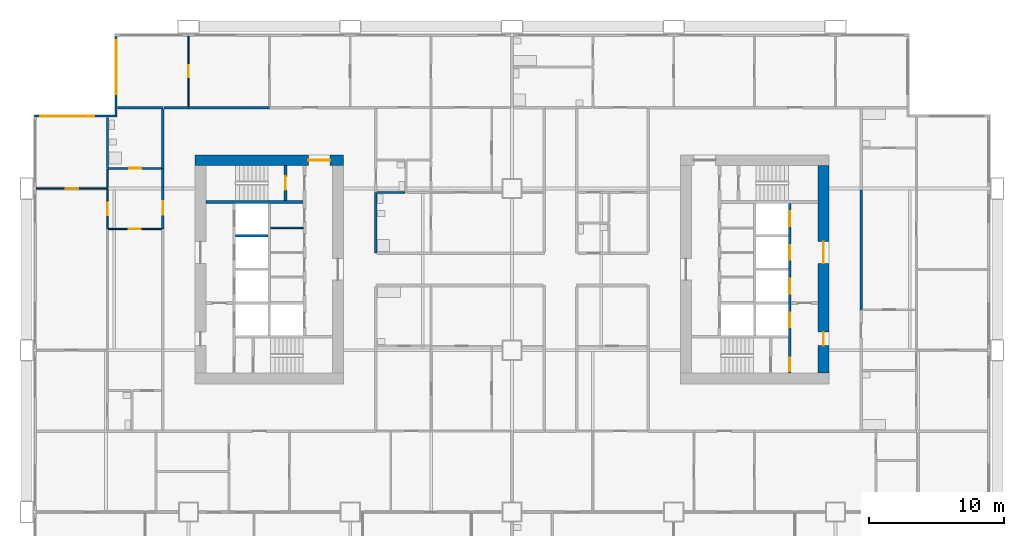
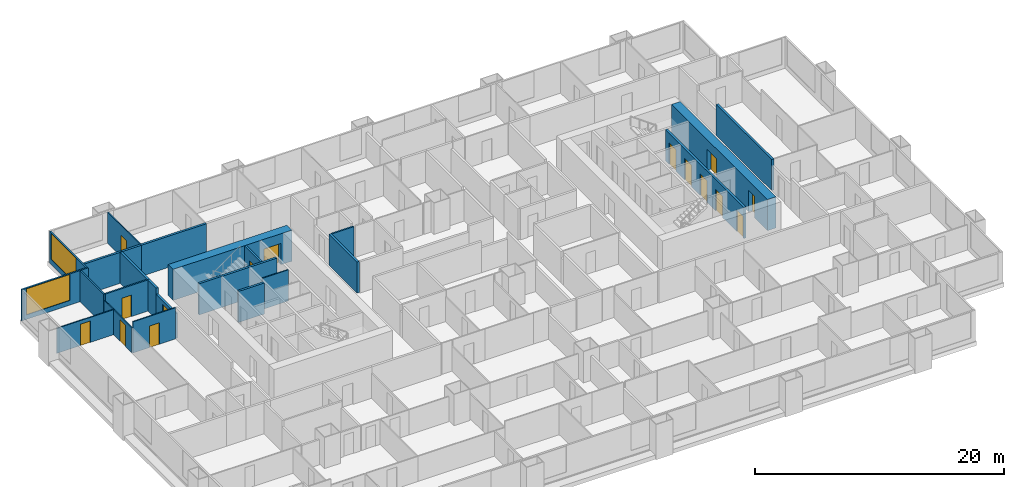
# One storey, part 7 of 13: 25 walls, 15 doors, 2 windows, 17 openings.
"""IFC4 building model written with IfcOpenShell, lengths in metres."""

from ifc_helpers import new_model, si_unit, direction, frame, frame_2d, origin, place, context, subcontext, project, spatial, rectangle, extrude, material, layer, layer_set, type_object, element, fill, save


model = new_model("IFC4")

# Units and contexts
model_context = context("Model", 3, precision=1e-05, world=origin(), true_north=direction((0.0, 1.0)))
body_context = subcontext(model_context, "Body", "Model", "MODEL_VIEW")
ifc_project = project(units=[si_unit("LENGTHUNIT", "METRE"), si_unit("AREAUNIT", "SQUARE_METRE"), si_unit("VOLUMEUNIT", "CUBIC_METRE"), si_unit("PLANEANGLEUNIT", "RADIAN"), si_unit("MASSUNIT", "GRAM", prefix="KILO")], contexts=[model_context])

# Site, building, storey
site_placement = place(None, origin())
site = spatial("IfcSite", under=ifc_project, at=site_placement, CompositionType="ELEMENT")
building_placement = place(site_placement, origin())
building = spatial("IfcBuilding", under=site, at=building_placement, Name="Kitamizu Gate Tower and Museum", CompositionType="ELEMENT")
storey_placement = place(building_placement, frame((0.0, 0.0, 81.75)))
storey = spatial("IfcBuildingStorey", under=building, at=storey_placement, Name="L20", CompositionType="ELEMENT", Elevation=81.75)

# Wall, opening, door
ifc_material_1 = material(Name="Concrete Fc60", Category="concrete")
ifc_layer_1 = layer(ifc_material_1, 0.800048828125)
ifc_layer_set_1 = layer_set([ifc_layer_1], Name="Concrete Fc60")
wall_type_1 = type_object("IfcWallType", Name="Core wall 800", PredefinedType="SHEAR", material=ifc_layer_set_1)
wall_1_placement = place(storey_placement, frame((12.5, 38.10009765625, 0.0), z_axis=(0.0, 0.0, 1.0), x_axis=(1.0, 0.0, 0.0)))
wall_1 = element("IfcWall", 1, at=wall_1_placement, inside=storey, type_object=wall_type_1, Name="Core wall WN", PredefinedType="SHEAR", context=body_context, shape_type="SweptSolid", body=[
    extrude(rectangle(XDim=11.0, YDim=0.800048828125, at=frame_2d((5.5, 0.0))), origin(), (0.0, 0.0, 1.0), 3.050048828125),
])
opening_1_placement = place(wall_1_placement, frame((8.39990234375, 0.0, 0.0)))
opening_1 = element("IfcOpeningElement", 2, at=opening_1_placement, cuts=wall_1, Name="Opening L20-083", PredefinedType="OPENING", context=body_context, shape_type="SweptSolid", body=[
    extrude(rectangle(XDim=1.60009765625, YDim=2.10009765625, at=frame_2d((0.800048828125, 1.050048828125))), frame((0.0, 0.41015625, 0.0), z_axis=(0.0, -1.0, 0.0), x_axis=(1.0, 0.0, 0.0)), (0.0, 0.0, 1.0), 0.820068359375),
])
ifc_material_2 = material(Name="Timber door set", Category="wood")
door_type_1 = type_object("IfcDoorType", Name="Entrance door 1600", OperationType="DOUBLE_DOOR_SINGLE_SWING", PredefinedType="DOOR", material=ifc_material_2)
door_1_placement = place(opening_1_placement, origin())
door_1 = element("IfcDoor", 3, at=door_1_placement, inside=storey, type_object=door_type_1, Name="Lobby door L20-083", OperationType="DOUBLE_DOOR_SINGLE_SWING", OverallHeight=2.10009765625, OverallWidth=1.60009765625, PredefinedType="DOOR", context=body_context, shape_type="SweptSolid", body=[
    extrude(rectangle(XDim=1.60009765625, YDim=2.10009765625, at=frame_2d((0.800048828125, 1.050048828125))), frame((0.0, 0.02490234375, 0.0), z_axis=(0.0, -1.0, 0.0), x_axis=(1.0, 0.0, 0.0)), (0.0, 0.0, 1.0), 0.050048828125),
])
fill(opening_1, door_1)

# Wall, openings, doors
wall_2_placement = place(storey_placement, frame((59.10009765625, 22.300048828125, 0.0), z_axis=(0.0, 0.0, 1.0), x_axis=(0.0, 1.0, 0.0)))
wall_2 = element("IfcWall", 4, at=wall_2_placement, inside=storey, type_object=wall_type_1, Name="Core wall EOUT", PredefinedType="SHEAR", context=body_context, shape_type="SweptSolid", body=[
    extrude(rectangle(XDim=15.39990234375, YDim=0.800048828125, at=frame_2d((7.699951171875, 0.0))), origin(), (0.0, 0.0, 1.0), 3.050048828125),
])
opening_2_placement = place(wall_2_placement, frame((8.14990234375, 0.0, 0.0)))
opening_2 = element("IfcOpeningElement", 5, at=opening_2_placement, cuts=wall_2, Name="Opening L20-094", PredefinedType="OPENING", context=body_context, shape_type="SweptSolid", body=[
    extrude(rectangle(XDim=1.60009765625, YDim=2.10009765625, at=frame_2d((0.800048828125, 1.050048828125))), frame((0.0, 0.41015625, 0.0), z_axis=(0.0, -1.0, 0.0), x_axis=(1.0, 0.0, 0.0)), (0.0, 0.0, 1.0), 0.820068359375),
])
opening_3_placement = place(wall_2_placement, frame((2.050048828125, 0.0, 0.0)))
opening_3 = element("IfcOpeningElement", 6, at=opening_3_placement, cuts=wall_2, Name="Opening L20-095", PredefinedType="OPENING", context=body_context, shape_type="SweptSolid", body=[
    extrude(rectangle(XDim=1.0, YDim=2.10009765625, at=frame_2d((0.5, 1.050048828125))), frame((0.0, 0.41015625, 0.0), z_axis=(0.0, -1.0, 0.0), x_axis=(1.0, 0.0, 0.0)), (0.0, 0.0, 1.0), 0.820068359375),
])
door_2_placement = place(opening_2_placement, origin())
door_2 = element("IfcDoor", 7, at=door_2_placement, inside=storey, type_object=door_type_1, Name="Lobby door L20-094", OperationType="DOUBLE_DOOR_SINGLE_SWING", OverallHeight=2.10009765625, OverallWidth=1.60009765625, PredefinedType="DOOR", context=body_context, shape_type="SweptSolid", body=[
    extrude(rectangle(XDim=1.60009765625, YDim=2.10009765625, at=frame_2d((0.800048828125, 1.050048828125))), frame((0.0, 0.02490234375, 0.0), z_axis=(0.0, -1.0, 0.0), x_axis=(1.0, 0.0, 0.0)), (0.0, 0.0, 1.0), 0.050048828125),
])
fill(opening_2, door_2)
ifc_material_3 = material(Name="Hollow metal door set")
door_type_2 = type_object("IfcDoorType", Name="Fire door 1000", OperationType="NOTDEFINED", PredefinedType="DOOR", material=ifc_material_3)
door_3_placement = place(opening_3_placement, origin())
door_3 = element("IfcDoor", 8, at=door_3_placement, inside=storey, type_object=door_type_2, Name="Fire-fighting lobby door L20-095", OperationType="SINGLE_SWING_LEFT", OverallHeight=2.10009765625, OverallWidth=1.0, PredefinedType="DOOR", context=body_context, shape_type="SweptSolid", body=[
    extrude(rectangle(XDim=1.0, YDim=2.10009765625, at=frame_2d((0.5, 1.050048828125))), frame((0.0, 0.02490234375, 0.0), z_axis=(0.0, -1.0, 0.0), x_axis=(1.0, 0.0, 0.0)), (0.0, 0.0, 1.0), 0.050048828125),
])
fill(opening_3, door_3)

# Wall
ifc_material_4 = material(Name="Gypsum board on galvanised stud")
ifc_layer_2 = layer(ifc_material_4, 0.10009765625)
ifc_layer_set_2 = layer_set([ifc_layer_2], Name="Gypsum board on galvanised stud")
wall_type_2 = type_object("IfcWallType", Name="Partition 100", PredefinedType="PARTITIONING", material=ifc_layer_set_2)
wall_3_placement = place(storey_placement, frame((18.10009765625, 33.074951171875, 0.0), z_axis=(0.0, 0.0, 1.0), x_axis=(1.0, 0.0, 0.0)))
element("IfcWall", 9, at=wall_3_placement, inside=storey, type_object=wall_type_2, Name="Partition WPF3", PredefinedType="PARTITIONING", context=body_context, shape_type="SweptSolid", body=[
    extrude(rectangle(XDim=2.39990234375, YDim=0.10009765625, at=frame_2d((1.199951171875, 0.0))), origin(), (0.0, 0.0, 1.0), 3.050048828125),
])

# Wall, opening, door
ifc_material_5 = material(Name="Gypsum board on galvanised stud")
ifc_layer_3 = layer(ifc_material_5, 0.10009765625)
ifc_layer_set_3 = layer_set([ifc_layer_3], Name="Gypsum board on galvanised stud")
wall_type_3 = type_object("IfcWallType", Name="Partition 100 NOT RATED", PredefinedType="PARTITIONING", material=ifc_layer_set_3)
wall_4_placement = place(storey_placement, frame((6.0, 36.0, 0.0), z_axis=(0.0, 0.0, 1.0), x_axis=(-1.0, 0.0, 0.0)))
wall_4 = element("IfcWall", 10, at=wall_4_placement, inside=storey, type_object=wall_type_3, Name="Partition L20-066", PredefinedType="PARTITIONING", context=body_context, shape_type="SweptSolid", body=[
    extrude(rectangle(XDim=5.280029296875, YDim=0.10009765625, at=frame_2d((2.64013671875, 0.0))), origin(), (0.0, 0.0, 1.0), 2.449951171875),
])
opening_4_placement = place(wall_4_placement, frame((2.18994140625, 0.0, 0.0)))
opening_4 = element("IfcOpeningElement", 11, at=opening_4_placement, cuts=wall_4, Name="Opening L20-026", PredefinedType="OPENING", context=body_context, shape_type="SweptSolid", body=[
    extrude(rectangle(XDim=0.89990234375, YDim=2.10009765625, at=frame_2d((0.449951171875, 1.050048828125))), frame((0.0, 0.06005859375, 0.0), z_axis=(0.0, -1.0, 0.0), x_axis=(1.0, 0.0, 0.0)), (0.0, 0.0, 1.0), 0.1201171875),
])
ifc_material_6 = material(Name="Timber door set", Category="wood")
door_type_3 = type_object("IfcDoorType", Name="Room door 900", OperationType="NOTDEFINED", PredefinedType="DOOR", material=ifc_material_6)
door_4_placement = place(opening_4_placement, frame((0.89990234375, 0.0, 0.0), x_axis=(-1.0, 0.0, 0.0)))
door_4 = element("IfcDoor", 12, at=door_4_placement, inside=storey, type_object=door_type_3, Name="Door L20-026", OperationType="SINGLE_SWING_LEFT", OverallHeight=2.10009765625, OverallWidth=0.89990234375, PredefinedType="DOOR", context=body_context, shape_type="SweptSolid", body=[
    extrude(rectangle(XDim=0.89990234375, YDim=2.10009765625, at=frame_2d((0.449951171875, 1.050048828125))), frame((0.0, 0.02490234375, 0.0), z_axis=(0.0, -1.0, 0.0), x_axis=(1.0, 0.0, 0.0)), (0.0, 0.0, 1.0), 0.050048828125),
])
fill(opening_4, door_4)

wall_5_placement = place(storey_placement, frame((6.0, 33.0, 0.0), z_axis=(0.0, 0.0, 1.0), x_axis=(0.0, 1.0, 0.0)))
wall_5 = element("IfcWall", 13, at=wall_5_placement, inside=storey, type_object=wall_type_3, Name="Partition L20-068", PredefinedType="PARTITIONING", context=body_context, shape_type="SweptSolid", body=[
    extrude(rectangle(XDim=2.949951171875, YDim=0.10009765625, at=frame_2d((1.47509765625, 0.0))), origin(), (0.0, 0.0, 1.0), 2.449951171875),
])
opening_5_placement = place(wall_5_placement, frame((1.02490234375, 0.0, 0.0)))
opening_5 = element("IfcOpeningElement", 14, at=opening_5_placement, cuts=wall_5, Name="Opening L20-022", PredefinedType="OPENING", context=body_context, shape_type="SweptSolid", body=[
    extrude(rectangle(XDim=0.89990234375, YDim=2.10009765625, at=frame_2d((0.449951171875, 1.050048828125))), frame((0.0, 0.06005859375, 0.0), z_axis=(0.0, -1.0, 0.0), x_axis=(1.0, 0.0, 0.0)), (0.0, 0.0, 1.0), 0.1201171875),
])
door_5_placement = place(opening_5_placement, origin())
door_5 = element("IfcDoor", 15, at=door_5_placement, inside=storey, type_object=door_type_3, Name="Door L20-022", OperationType="SINGLE_SWING_LEFT", OverallHeight=2.10009765625, OverallWidth=0.89990234375, PredefinedType="DOOR", context=body_context, shape_type="SweptSolid", body=[
    extrude(rectangle(XDim=0.89990234375, YDim=2.10009765625, at=frame_2d((0.449951171875, 1.050048828125))), frame((0.0, 0.02490234375, 0.0), z_axis=(0.0, -1.0, 0.0), x_axis=(1.0, 0.0, 0.0)), (0.0, 0.0, 1.0), 0.050048828125),
])
fill(opening_5, door_5)

# Wall
wall_6_placement = place(storey_placement, frame((6.0, 36.050048828125, 0.0), z_axis=(0.0, 0.0, 1.0), x_axis=(0.0, 1.0, 0.0)))
element("IfcWall", 16, at=wall_6_placement, inside=storey, type_object=wall_type_3, Name="Partition L20-069", PredefinedType="PARTITIONING", context=body_context, shape_type="SweptSolid", body=[
    extrude(rectangle(XDim=1.375, YDim=0.10009765625, at=frame_2d((0.6875, 0.0))), origin(), (0.0, 0.0, 1.0), 2.449951171875),
])

# Wall, opening, door
wall_7_placement = place(storey_placement, frame((10.0, 33.0, 0.0), z_axis=(0.0, 0.0, 1.0), x_axis=(-1.0, 0.0, 0.0)))
wall_7 = element("IfcWall", 17, at=wall_7_placement, inside=storey, type_object=wall_type_3, Name="Partition L20-075", PredefinedType="PARTITIONING", context=body_context, shape_type="SweptSolid", body=[
    extrude(rectangle(XDim=3.949951171875, YDim=0.10009765625, at=frame_2d((1.97509765625, 0.0))), origin(), (0.0, 0.0, 1.0), 3.050048828125),
])
opening_6_placement = place(wall_7_placement, frame((1.52490234375, 0.0, 0.0)))
opening_6 = element("IfcOpeningElement", 18, at=opening_6_placement, cuts=wall_7, Name="Opening L20-023", PredefinedType="OPENING", context=body_context, shape_type="SweptSolid", body=[
    extrude(rectangle(XDim=0.89990234375, YDim=2.10009765625, at=frame_2d((0.449951171875, 1.050048828125))), frame((0.0, 0.06005859375, 0.0), z_axis=(0.0, -1.0, 0.0), x_axis=(1.0, 0.0, 0.0)), (0.0, 0.0, 1.0), 0.1201171875),
])
door_6_placement = place(opening_6_placement, frame((0.89990234375, 0.0, 0.0), x_axis=(-1.0, 0.0, 0.0)))
door_6 = element("IfcDoor", 19, at=door_6_placement, inside=storey, type_object=door_type_3, Name="Door L20-023", OperationType="SINGLE_SWING_RIGHT", OverallHeight=2.10009765625, OverallWidth=0.89990234375, PredefinedType="DOOR", context=body_context, shape_type="SweptSolid", body=[
    extrude(rectangle(XDim=0.89990234375, YDim=2.10009765625, at=frame_2d((0.449951171875, 1.050048828125))), frame((0.0, 0.02490234375, 0.0), z_axis=(0.0, -1.0, 0.0), x_axis=(1.0, 0.0, 0.0)), (0.0, 0.0, 1.0), 0.050048828125),
])
fill(opening_6, door_6)

wall_8_placement = place(storey_placement, frame((12.0, 42.10009765625, 0.0), z_axis=(0.0, 0.0, 1.0), x_axis=(0.0, 1.0, 0.0)))
wall_8 = element("IfcWall", 20, at=wall_8_placement, inside=storey, type_object=wall_type_3, Name="Partition L20-083", PredefinedType="PARTITIONING", context=body_context, shape_type="SweptSolid", body=[
    extrude(rectangle(XDim=5.179931640625, YDim=0.10009765625, at=frame_2d((2.58984375, 0.0))), origin(), (0.0, 0.0, 1.0), 3.050048828125),
])
opening_7_placement = place(wall_8_placement, frame((2.139892578125, 0.0, 0.0)))
opening_7 = element("IfcOpeningElement", 21, at=opening_7_placement, cuts=wall_8, Name="Opening L20-031", PredefinedType="OPENING", context=body_context, shape_type="SweptSolid", body=[
    extrude(rectangle(XDim=0.89990234375, YDim=2.10009765625, at=frame_2d((0.449951171875, 1.050048828125))), frame((0.0, 0.06005859375, 0.0), z_axis=(0.0, -1.0, 0.0), x_axis=(1.0, 0.0, 0.0)), (0.0, 0.0, 1.0), 0.1201171875),
])
door_7_placement = place(opening_7_placement, origin())
door_7 = element("IfcDoor", 22, at=door_7_placement, inside=storey, type_object=door_type_3, Name="Door L20-031", OperationType="SINGLE_SWING_LEFT", OverallHeight=2.10009765625, OverallWidth=0.89990234375, PredefinedType="DOOR", context=body_context, shape_type="SweptSolid", body=[
    extrude(rectangle(XDim=0.89990234375, YDim=2.10009765625, at=frame_2d((0.449951171875, 1.050048828125))), frame((0.0, 0.02490234375, 0.0), z_axis=(0.0, -1.0, 0.0), x_axis=(1.0, 0.0, 0.0)), (0.0, 0.0, 1.0), 0.050048828125),
])
fill(opening_7, door_7)

# Wall
ifc_material_7 = material(Name="Gypsum board on galvanised stud")
ifc_layer_4 = layer(ifc_material_7, 0.14990234375)
ifc_layer_set_4 = layer_set([ifc_layer_4], Name="Gypsum board on galvanised stud")
wall_type_4 = type_object("IfcWallType", Name="Partition 150", PredefinedType="PARTITIONING", material=ifc_layer_set_4)
wall_9_placement = place(storey_placement, frame((6.0, 37.5, 0.0), z_axis=(0.0, 0.0, 1.0), x_axis=(0.0, 1.0, 0.0)))
element("IfcWall", 23, at=wall_9_placement, inside=storey, type_object=wall_type_4, Name="Partition L20-070", PredefinedType="PARTITIONING", context=body_context, shape_type="SweptSolid", body=[
    extrude(rectangle(XDim=3.780029296875, YDim=0.14990234375, at=frame_2d((1.89013671875, 0.0))), origin(), (0.0, 0.0, 1.0), 3.050048828125),
])

# Wall, opening, door
wall_10_placement = place(storey_placement, frame((10.0, 37.5, 0.0), z_axis=(0.0, 0.0, 1.0), x_axis=(-1.0, 0.0, 0.0)))
wall_10 = element("IfcWall", 24, at=wall_10_placement, inside=storey, type_object=wall_type_4, Name="Partition L20-078", PredefinedType="PARTITIONING", context=body_context, shape_type="SweptSolid", body=[
    extrude(rectangle(XDim=3.925048828125, YDim=0.14990234375, at=frame_2d((1.96240234375, 0.0))), origin(), (0.0, 0.0, 1.0), 3.050048828125),
])
opening_8_placement = place(wall_10_placement, frame((1.512451171875, 0.0, 0.0)))
opening_8 = element("IfcOpeningElement", 25, at=opening_8_placement, cuts=wall_10, Name="Opening L20-025", PredefinedType="OPENING", context=body_context, shape_type="SweptSolid", body=[
    extrude(rectangle(XDim=0.89990234375, YDim=2.10009765625, at=frame_2d((0.449951171875, 1.050048828125))), frame((0.0, 0.0849609375, 0.0), z_axis=(0.0, -1.0, 0.0), x_axis=(1.0, 0.0, 0.0)), (0.0, 0.0, 1.0), 0.169921875),
])
ifc_material_8 = material(Name="Timber door set", Category="wood")
door_type_4 = type_object("IfcDoorType", Name="Bathroom door 900", OperationType="NOTDEFINED", PredefinedType="DOOR", material=ifc_material_8)
door_8_placement = place(opening_8_placement, frame((0.89990234375, 0.0, 0.0), x_axis=(-1.0, 0.0, 0.0)))
door_8 = element("IfcDoor", 26, at=door_8_placement, inside=storey, type_object=door_type_4, Name="Bathroom door L20-025", OperationType="SINGLE_SWING_RIGHT", OverallHeight=2.10009765625, OverallWidth=0.89990234375, PredefinedType="DOOR", context=body_context, shape_type="SweptSolid", body=[
    extrude(rectangle(XDim=0.89990234375, YDim=2.10009765625, at=frame_2d((0.449951171875, 1.050048828125))), frame((0.0, 0.02490234375, 0.0), z_axis=(0.0, -1.0, 0.0), x_axis=(1.0, 0.0, 0.0)), (0.0, 0.0, 1.0), 0.050048828125),
])
fill(opening_8, door_8)

# Wall
wall_11_placement = place(storey_placement, frame((26.0, 35.699951171875, 0.0), z_axis=(0.0, 0.0, 1.0), x_axis=(1.0, 0.0, 0.0)))
element("IfcWall", 27, at=wall_11_placement, inside=storey, type_object=wall_type_4, Name="Partition L20-099", PredefinedType="PARTITIONING", context=body_context, shape_type="SweptSolid", body=[
    extrude(rectangle(XDim=2.074951171875, YDim=0.14990234375, at=frame_2d((1.03759765625, 0.0))), origin(), (0.0, 0.0, 1.0), 3.050048828125),
])

# Wall, opening, door
ifc_material_9 = material(Name="Gypsum board on galvanised stud")
ifc_layer_5 = layer(ifc_material_9, 0.199951171875)
ifc_layer_set_5 = layer_set([ifc_layer_5], Name="Gypsum board on galvanised stud")
wall_type_5 = type_object("IfcWallType", Name="Partition 200", PredefinedType="PARTITIONING", material=ifc_layer_set_5)
wall_12_placement = place(storey_placement, frame((10.10009765625, 33.0, 0.0), z_axis=(0.0, 0.0, 1.0), x_axis=(0.0, 1.0, 0.0)))
wall_12 = element("IfcWall", 28, at=wall_12_placement, inside=storey, type_object=wall_type_5, Name="Partition L20-079", PredefinedType="PARTITIONING", context=body_context, shape_type="SweptSolid", body=[
    extrude(rectangle(XDim=3.10009765625, YDim=0.199951171875, at=frame_2d((1.550048828125, 0.0))), origin(), (0.0, 0.0, 1.0), 2.449951171875),
])
opening_9_placement = place(wall_12_placement, frame((1.050048828125, 0.0, 0.0)))
opening_9 = element("IfcOpeningElement", 29, at=opening_9_placement, cuts=wall_12, Name="Opening L20-021", PredefinedType="OPENING", context=body_context, shape_type="SweptSolid", body=[
    extrude(rectangle(XDim=1.0, YDim=2.10009765625, at=frame_2d((0.5, 1.050048828125))), frame((0.0, 0.10986328125, 0.0), z_axis=(0.0, -1.0, 0.0), x_axis=(1.0, 0.0, 0.0)), (0.0, 0.0, 1.0), 0.219970703125),
])
ifc_material_10 = material(Name="Timber door set", Category="wood")
door_type_5 = type_object("IfcDoorType", Name="Flat entrance door 1000", OperationType="NOTDEFINED", PredefinedType="DOOR", material=ifc_material_10)
door_9_placement = place(opening_9_placement, origin())
door_9 = element("IfcDoor", 30, at=door_9_placement, inside=storey, type_object=door_type_5, Name="Flat entrance door L20-021", OperationType="SINGLE_SWING_RIGHT", OverallHeight=2.10009765625, OverallWidth=1.0, PredefinedType="DOOR", context=body_context, shape_type="SweptSolid", body=[
    extrude(rectangle(XDim=1.0, YDim=2.10009765625, at=frame_2d((0.5, 1.050048828125))), frame((0.0, 0.02490234375, 0.0), z_axis=(0.0, -1.0, 0.0), x_axis=(1.0, 0.0, 0.0)), (0.0, 0.0, 1.0), 0.050048828125),
])
fill(opening_9, door_9)

# Walls
wall_13_placement = place(storey_placement, frame((10.10009765625, 36.10009765625, 0.0), z_axis=(0.0, 0.0, 1.0), x_axis=(0.0, 1.0, 0.0)))
element("IfcWall", 31, at=wall_13_placement, inside=storey, type_object=wall_type_5, Name="Partition L20-080", PredefinedType="PARTITIONING", context=body_context, shape_type="SweptSolid", body=[
    extrude(rectangle(XDim=1.39990234375, YDim=0.199951171875, at=frame_2d((0.699951171875, 0.0))), origin(), (0.0, 0.0, 1.0), 3.050048828125),
])
wall_14_placement = place(storey_placement, frame((10.10009765625, 42.0, 0.0), z_axis=(0.0, 0.0, 1.0), x_axis=(-1.0, 0.0, 0.0)))
element("IfcWall", 32, at=wall_14_placement, inside=storey, type_object=wall_type_5, Name="Partition L20-081", PredefinedType="PARTITIONING", context=body_context, shape_type="SweptSolid", body=[
    extrude(rectangle(XDim=3.380126953125, YDim=0.199951171875, at=frame_2d((1.68994140625, 0.0))), origin(), (0.0, 0.0, 1.0), 3.050048828125),
])
wall_15_placement = place(storey_placement, frame((10.10009765625, 37.5, 0.0), z_axis=(0.0, 0.0, 1.0), x_axis=(0.0, 1.0, 0.0)))
element("IfcWall", 33, at=wall_15_placement, inside=storey, type_object=wall_type_5, Name="Partition L20-082", PredefinedType="PARTITIONING", context=body_context, shape_type="SweptSolid", body=[
    extrude(rectangle(XDim=4.39990234375, YDim=0.199951171875, at=frame_2d((2.199951171875, 0.0))), origin(), (0.0, 0.0, 1.0), 3.050048828125),
])
wall_16_placement = place(storey_placement, frame((10.199951171875, 42.0, 0.0), z_axis=(0.0, 0.0, 1.0), x_axis=(1.0, 0.0, 0.0)))
element("IfcWall", 34, at=wall_16_placement, inside=storey, type_object=wall_type_5, Name="Partition L20-084", PredefinedType="PARTITIONING", context=body_context, shape_type="SweptSolid", body=[
    extrude(rectangle(XDim=1.800048828125, YDim=0.199951171875, at=frame_2d((0.89990234375, 0.0))), origin(), (0.0, 0.0, 1.0), 3.050048828125),
])
wall_17_placement = place(storey_placement, frame((12.0, 42.0, 0.0), z_axis=(0.0, 0.0, 1.0), x_axis=(1.0, 0.0, 0.0)))
element("IfcWall", 35, at=wall_17_placement, inside=storey, type_object=wall_type_5, Name="Partition L20-086", PredefinedType="PARTITIONING", context=body_context, shape_type="SweptSolid", body=[
    extrude(rectangle(XDim=6.0, YDim=0.199951171875, at=frame_2d((3.0, 0.0))), origin(), (0.0, 0.0, 1.0), 3.050048828125),
])
wall_18_placement = place(storey_placement, frame((25.89990234375, 35.699951171875, 0.0), z_axis=(0.0, 0.0, 1.0), x_axis=(0.0, -1.0, 0.0)))
element("IfcWall", 36, at=wall_18_placement, inside=storey, type_object=wall_type_5, Name="Partition L20-116", PredefinedType="PARTITIONING", context=body_context, shape_type="SweptSolid", body=[
    extrude(rectangle(XDim=4.5, YDim=0.199951171875, at=frame_2d((2.25, 0.0))), origin(), (0.0, 0.0, 1.0), 3.050048828125),
])
wall_19_placement = place(storey_placement, frame((61.89990234375, 35.89990234375, 0.0), z_axis=(0.0, 0.0, 1.0), x_axis=(0.0, -1.0, 0.0)))
element("IfcWall", 37, at=wall_19_placement, inside=storey, type_object=wall_type_5, Name="Partition L20-185", PredefinedType="PARTITIONING", context=body_context, shape_type="SweptSolid", body=[
    extrude(rectangle(XDim=8.89990234375, YDim=0.199951171875, at=frame_2d((4.449951171875, 0.0))), origin(), (0.0, 0.0, 1.0), 3.050048828125),
])
ifc_material_11 = material(Name="Concrete Fc42", Category="concrete")
ifc_layer_6 = layer(ifc_material_11, 0.199951171875)
ifc_layer_set_6 = layer_set([ifc_layer_6], Name="Concrete Fc42")
wall_type_6 = type_object("IfcWallType", Name="Shaft wall 200", PredefinedType="SOLIDWALL", material=ifc_layer_set_6)
wall_20_placement = place(storey_placement, frame((13.300048828125, 35.0, 0.0), z_axis=(0.0, 0.0, 1.0), x_axis=(1.0, 0.0, 0.0)))
element("IfcWall", 38, at=wall_20_placement, inside=storey, type_object=wall_type_6, Name="Shaft wall WNB", PredefinedType="SOLIDWALL", context=body_context, shape_type="SweptSolid", body=[
    extrude(rectangle(XDim=7.199951171875, YDim=0.199951171875, at=frame_2d((3.60009765625, 0.0))), origin(), (0.0, 0.0, 1.0), 3.050048828125),
])

# Wall, opening, door
wall_21_placement = place(storey_placement, frame((19.199951171875, 35.10009765625, 0.0), z_axis=(0.0, 0.0, 1.0), x_axis=(0.0, 1.0, 0.0)))
wall_21 = element("IfcWall", 39, at=wall_21_placement, inside=storey, type_object=wall_type_6, Name="Shaft wall WNZ", PredefinedType="SOLIDWALL", context=body_context, shape_type="SweptSolid", body=[
    extrude(rectangle(XDim=2.599853515625, YDim=0.199951171875, at=frame_2d((1.2998046875, 0.0))), origin(), (0.0, 0.0, 1.0), 3.050048828125),
])
opening_10_placement = place(wall_21_placement, frame((0.800048828125, 0.0, 0.0)))
opening_10 = element("IfcOpeningElement", 40, at=opening_10_placement, cuts=wall_21, Name="Opening L20-079", PredefinedType="OPENING", context=body_context, shape_type="SweptSolid", body=[
    extrude(rectangle(XDim=1.0, YDim=2.10009765625, at=frame_2d((0.5, 1.050048828125))), frame((0.0, 0.10986328125, 0.0), z_axis=(0.0, -1.0, 0.0), x_axis=(1.0, 0.0, 0.0)), (0.0, 0.0, 1.0), 0.219970703125),
])
door_10_placement = place(opening_10_placement, origin())
door_10 = element("IfcDoor", 41, at=door_10_placement, inside=storey, type_object=door_type_2, Name="Stair door L20-079", OperationType="SINGLE_SWING_LEFT", OverallHeight=2.10009765625, OverallWidth=1.0, PredefinedType="DOOR", context=body_context, shape_type="SweptSolid", body=[
    extrude(rectangle(XDim=1.0, YDim=2.10009765625, at=frame_2d((0.5, 1.050048828125))), frame((0.0, 0.02490234375, 0.0), z_axis=(0.0, -1.0, 0.0), x_axis=(1.0, 0.0, 0.0)), (0.0, 0.0, 1.0), 0.050048828125),
])
fill(opening_10, door_10)

# Wall
wall_22_placement = place(storey_placement, frame((15.5, 32.5, 0.0), z_axis=(0.0, 0.0, 1.0), x_axis=(1.0, 0.0, 0.0)))
element("IfcWall", 42, at=wall_22_placement, inside=storey, type_object=wall_type_6, Name="Shaft wall WDVW2", PredefinedType="SOLIDWALL", context=body_context, shape_type="SweptSolid", body=[
    extrude(rectangle(XDim=2.39990234375, YDim=0.199951171875, at=frame_2d((1.199951171875, 0.0))), origin(), (0.0, 0.0, 1.0), 3.050048828125),
])

# Wall, openings, doors
wall_23_placement = place(storey_placement, frame((56.60009765625, 22.300048828125, 0.0), z_axis=(0.0, 0.0, 1.0), x_axis=(0.0, 1.0, 0.0)))
wall_23 = element("IfcWall", 43, at=wall_23_placement, inside=storey, type_object=wall_type_6, Name="Shaft wall EWEST", PredefinedType="SOLIDWALL", context=body_context, shape_type="SweptSolid", body=[
    extrude(rectangle(XDim=12.599853515625, YDim=0.199951171875, at=frame_2d((6.2998046875, 0.0))), origin(), (0.0, 0.0, 1.0), 3.050048828125),
])
opening_11_placement = place(wall_23_placement, frame((3.39990234375, 0.0, 0.0)))
opening_11 = element("IfcOpeningElement", 44, at=opening_11_placement, cuts=wall_23, Name="Opening LD", PredefinedType="OPENING", context=body_context, shape_type="SweptSolid", body=[
    extrude(rectangle(XDim=1.10009765625, YDim=2.10009765625, at=frame_2d((0.550048828125, 1.050048828125))), frame((0.0, 0.10986328125, 0.0), z_axis=(0.0, -1.0, 0.0), x_axis=(1.0, 0.0, 0.0)), (0.0, 0.0, 1.0), 0.219970703125),
])
opening_12_placement = place(wall_23_placement, frame((5.89990234375, 0.0, 0.0)))
opening_12 = element("IfcOpeningElement", 45, at=opening_12_placement, cuts=wall_23, Name="Opening LD", PredefinedType="OPENING", context=body_context, shape_type="SweptSolid", body=[
    extrude(rectangle(XDim=1.10009765625, YDim=2.10009765625, at=frame_2d((0.550048828125, 1.050048828125))), frame((0.0, 0.10986328125, 0.0), z_axis=(0.0, -1.0, 0.0), x_axis=(1.0, 0.0, 0.0)), (0.0, 0.0, 1.0), 0.219970703125),
])
opening_13_placement = place(wall_23_placement, frame((8.39990234375, 0.0, 0.0)))
opening_13 = element("IfcOpeningElement", 46, at=opening_13_placement, cuts=wall_23, Name="Opening LD", PredefinedType="OPENING", context=body_context, shape_type="SweptSolid", body=[
    extrude(rectangle(XDim=1.10009765625, YDim=2.10009765625, at=frame_2d((0.550048828125, 1.050048828125))), frame((0.0, 0.10986328125, 0.0), z_axis=(0.0, -1.0, 0.0), x_axis=(1.0, 0.0, 0.0)), (0.0, 0.0, 1.0), 0.219970703125),
])
opening_14_placement = place(wall_23_placement, frame((10.89990234375, 0.0, 0.0)))
opening_14 = element("IfcOpeningElement", 47, at=opening_14_placement, cuts=wall_23, Name="Opening LD", PredefinedType="OPENING", context=body_context, shape_type="SweptSolid", body=[
    extrude(rectangle(XDim=1.10009765625, YDim=2.10009765625, at=frame_2d((0.550048828125, 1.050048828125))), frame((0.0, 0.10986328125, 0.0), z_axis=(0.0, -1.0, 0.0), x_axis=(1.0, 0.0, 0.0)), (0.0, 0.0, 1.0), 0.219970703125),
])
opening_15_placement = place(wall_23_placement, frame((0.14990234375, 0.0, 0.0)))
opening_15 = element("IfcOpeningElement", 48, at=opening_15_placement, cuts=wall_23, Name="Opening L20-090", PredefinedType="OPENING", context=body_context, shape_type="SweptSolid", body=[
    extrude(rectangle(XDim=1.0, YDim=2.10009765625, at=frame_2d((0.5, 1.050048828125))), frame((0.0, 0.10986328125, 0.0), z_axis=(0.0, -1.0, 0.0), x_axis=(1.0, 0.0, 0.0)), (0.0, 0.0, 1.0), 0.219970703125),
])
door_11_placement = place(opening_15_placement, origin())
door_11 = element("IfcDoor", 49, at=door_11_placement, inside=storey, type_object=door_type_2, Name="Stair lobby door L20-090", OperationType="SINGLE_SWING_RIGHT", OverallHeight=2.10009765625, OverallWidth=1.0, PredefinedType="DOOR", context=body_context, shape_type="SweptSolid", body=[
    extrude(rectangle(XDim=1.0, YDim=2.10009765625, at=frame_2d((0.5, 1.050048828125))), frame((0.0, 0.02490234375, 0.0), z_axis=(0.0, -1.0, 0.0), x_axis=(1.0, 0.0, 0.0)), (0.0, 0.0, 1.0), 0.050048828125),
])
fill(opening_15, door_11)
ifc_material_12 = material(Name="Hollow metal door set")
door_type_6 = type_object("IfcDoorType", Name="Landing door 1100", OperationType="SLIDING_TO_LEFT", PredefinedType="DOOR", material=ifc_material_12)
door_12_placement = place(opening_11_placement, origin())
door_12 = element("IfcDoor", 50, at=door_12_placement, inside=storey, type_object=door_type_6, Name="Landing door EFF1", OperationType="SLIDING_TO_LEFT", OverallHeight=2.10009765625, OverallWidth=1.10009765625, PredefinedType="DOOR", context=body_context, shape_type="SweptSolid", body=[
    extrude(rectangle(XDim=1.10009765625, YDim=2.10009765625, at=frame_2d((0.550048828125, 1.050048828125))), frame((0.0, 0.02490234375, 0.0), z_axis=(0.0, -1.0, 0.0), x_axis=(1.0, 0.0, 0.0)), (0.0, 0.0, 1.0), 0.050048828125),
])
fill(opening_11, door_12)
door_13_placement = place(opening_12_placement, origin())
door_13 = element("IfcDoor", 51, at=door_13_placement, inside=storey, type_object=door_type_6, Name="Landing door EL1", OperationType="SLIDING_TO_LEFT", OverallHeight=2.10009765625, OverallWidth=1.10009765625, PredefinedType="DOOR", context=body_context, shape_type="SweptSolid", body=[
    extrude(rectangle(XDim=1.10009765625, YDim=2.10009765625, at=frame_2d((0.550048828125, 1.050048828125))), frame((0.0, 0.02490234375, 0.0), z_axis=(0.0, -1.0, 0.0), x_axis=(1.0, 0.0, 0.0)), (0.0, 0.0, 1.0), 0.050048828125),
])
fill(opening_12, door_13)
door_14_placement = place(opening_13_placement, origin())
door_14 = element("IfcDoor", 52, at=door_14_placement, inside=storey, type_object=door_type_6, Name="Landing door EL2", OperationType="SLIDING_TO_LEFT", OverallHeight=2.10009765625, OverallWidth=1.10009765625, PredefinedType="DOOR", context=body_context, shape_type="SweptSolid", body=[
    extrude(rectangle(XDim=1.10009765625, YDim=2.10009765625, at=frame_2d((0.550048828125, 1.050048828125))), frame((0.0, 0.02490234375, 0.0), z_axis=(0.0, -1.0, 0.0), x_axis=(1.0, 0.0, 0.0)), (0.0, 0.0, 1.0), 0.050048828125),
])
fill(opening_13, door_14)
door_15_placement = place(opening_14_placement, origin())
door_15 = element("IfcDoor", 53, at=door_15_placement, inside=storey, type_object=door_type_6, Name="Landing door EL3", OperationType="SLIDING_TO_LEFT", OverallHeight=2.10009765625, OverallWidth=1.10009765625, PredefinedType="DOOR", context=body_context, shape_type="SweptSolid", body=[
    extrude(rectangle(XDim=1.10009765625, YDim=2.10009765625, at=frame_2d((0.550048828125, 1.050048828125))), frame((0.0, 0.02490234375, 0.0), z_axis=(0.0, -1.0, 0.0), x_axis=(1.0, 0.0, 0.0)), (0.0, 0.0, 1.0), 0.050048828125),
])
fill(opening_14, door_15)

# Wall, opening, window
ifc_material_13 = material(Name="Bronze anodised aluminium frame with insulated spandrel and tinted glass", Category="aluminium")
ifc_layer_7 = layer(ifc_material_13, 0.14990234375)
ifc_layer_set_7 = layer_set([ifc_layer_7], Name="Bronze anodised aluminium frame with insulated spandrel and tinted glass")
wall_type_7 = type_object("IfcWallType", Name="WINDOW WALL 150 BRONZE FRAME EI 30", PredefinedType="ELEMENTEDWALL", material=ifc_layer_set_7)
wall_24_placement = place(storey_placement, frame((6.635009765625, 41.43994140625, 0.0), z_axis=(0.0, 0.0, 1.0), x_axis=(0.0, 1.0, 0.0)))
wall_24 = element("IfcWall", 54, at=wall_24_placement, inside=storey, type_object=wall_type_7, Name="Window wall west L20", PredefinedType="ELEMENTEDWALL", context=body_context, shape_type="SweptSolid", body=[
    extrude(rectangle(XDim=5.85009765625, YDim=0.14990234375, at=frame_2d((2.925048828125, 0.0))), origin(), (0.0, 0.0, 1.0), 3.050048828125),
])
opening_16_placement = place(wall_24_placement, frame((1.56005859375, 0.0, 0.449951171875)))
opening_16 = element("IfcOpeningElement", 55, at=opening_16_placement, cuts=wall_24, Name="Opening W16", PredefinedType="OPENING", context=body_context, shape_type="SweptSolid", body=[
    extrude(rectangle(XDim=4.0, YDim=2.550048828125, at=frame_2d((2.0, 1.27490234375))), frame((0.0, 0.0849609375, 0.0), z_axis=(0.0, -1.0, 0.0), x_axis=(1.0, 0.0, 0.0)), (0.0, 0.0, 1.0), 0.169921875),
])
ifc_material_14 = material(Name="Bronze anodised aluminium frame, tinted triple glazing", Category="aluminium")
window_type = type_object("IfcWindowType", Name="WINDOW 4000 x 2550 SILL 450", PartitioningType="SINGLE_PANEL", PredefinedType="WINDOW", material=ifc_material_14)
window_1_placement = place(opening_16_placement, origin())
window_1 = element("IfcWindow", 56, at=window_1_placement, inside=storey, type_object=window_type, Name="Window W16 L20", OverallHeight=2.550048828125, OverallWidth=4.0, PartitioningType="SINGLE_PANEL", PredefinedType="WINDOW", context=body_context, shape_type="SweptSolid", body=[
    extrude(rectangle(XDim=4.0, YDim=2.550048828125, at=frame_2d((2.0, 1.27490234375))), frame((0.0, 0.030029296875, 0.0), z_axis=(0.0, -1.0, 0.0), x_axis=(1.0, 0.0, 0.0)), (0.0, 0.0, 1.0), 0.06005859375),
])
fill(opening_16, window_1)

wall_25_placement = place(storey_placement, frame((0.56005859375, 41.364990234375, 0.0), z_axis=(0.0, 0.0, 1.0), x_axis=(1.0, 0.0, 0.0)))
wall_25 = element("IfcWall", 57, at=wall_25_placement, inside=storey, type_object=wall_type_7, Name="Window wall north L20", PredefinedType="ELEMENTEDWALL", context=body_context, shape_type="SweptSolid", body=[
    extrude(rectangle(XDim=6.14990234375, YDim=0.14990234375, at=frame_2d((3.074951171875, 0.0))), origin(), (0.0, 0.0, 1.0), 3.050048828125),
])
opening_17_placement = place(wall_25_placement, frame((0.43994140625, 0.0, 0.449951171875)))
opening_17 = element("IfcOpeningElement", 58, at=opening_17_placement, cuts=wall_25, Name="Opening W16", PredefinedType="OPENING", context=body_context, shape_type="SweptSolid", body=[
    extrude(rectangle(XDim=4.0, YDim=2.550048828125, at=frame_2d((2.0, 1.27490234375))), frame((0.0, 0.0849609375, 0.0), z_axis=(0.0, -1.0, 0.0), x_axis=(1.0, 0.0, 0.0)), (0.0, 0.0, 1.0), 0.169921875),
])
window_2_placement = place(opening_17_placement, origin())
window_2 = element("IfcWindow", 59, at=window_2_placement, inside=storey, type_object=window_type, Name="Window W16 L20", OverallHeight=2.550048828125, OverallWidth=4.0, PartitioningType="SINGLE_PANEL", PredefinedType="WINDOW", context=body_context, shape_type="SweptSolid", body=[
    extrude(rectangle(XDim=4.0, YDim=2.550048828125, at=frame_2d((2.0, 1.27490234375))), frame((0.0, 0.030029296875, 0.0), z_axis=(0.0, -1.0, 0.0), x_axis=(1.0, 0.0, 0.0)), (0.0, 0.0, 1.0), 0.06005859375),
])
fill(opening_17, window_2)

save(model, "model.ifc")
